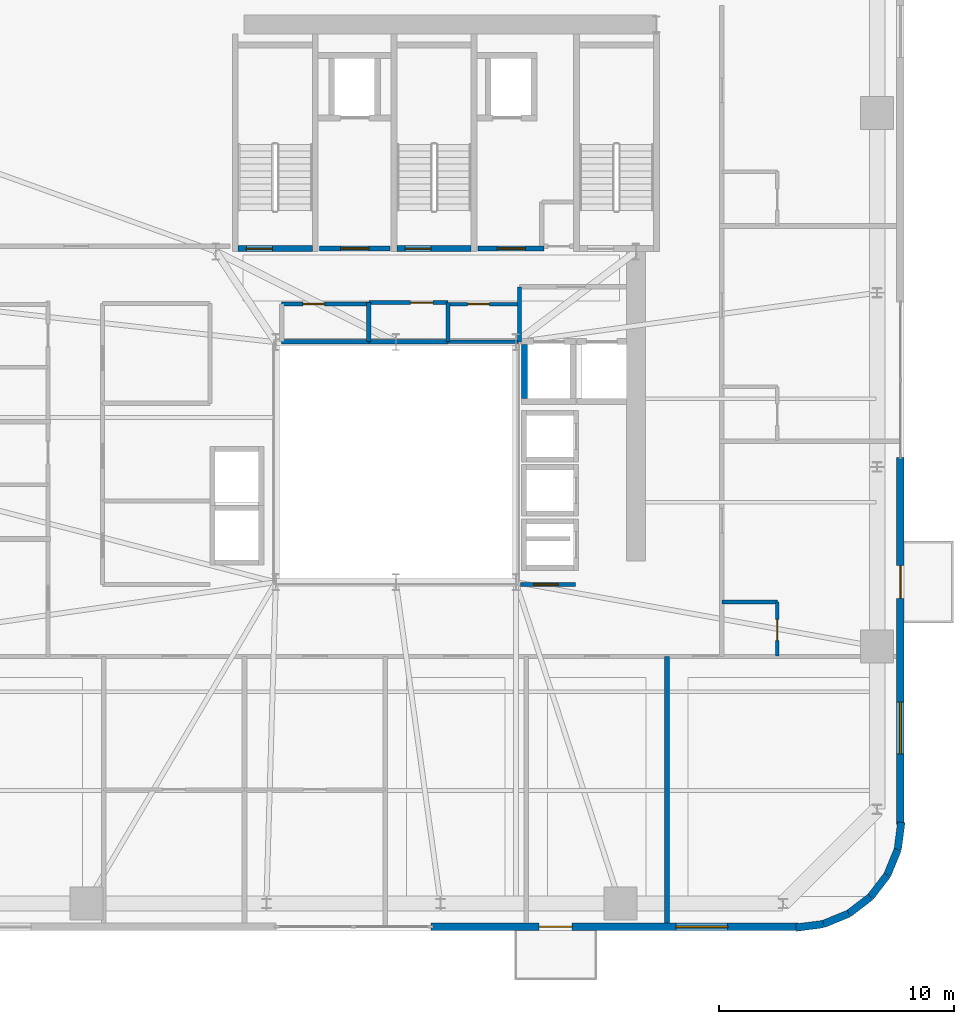
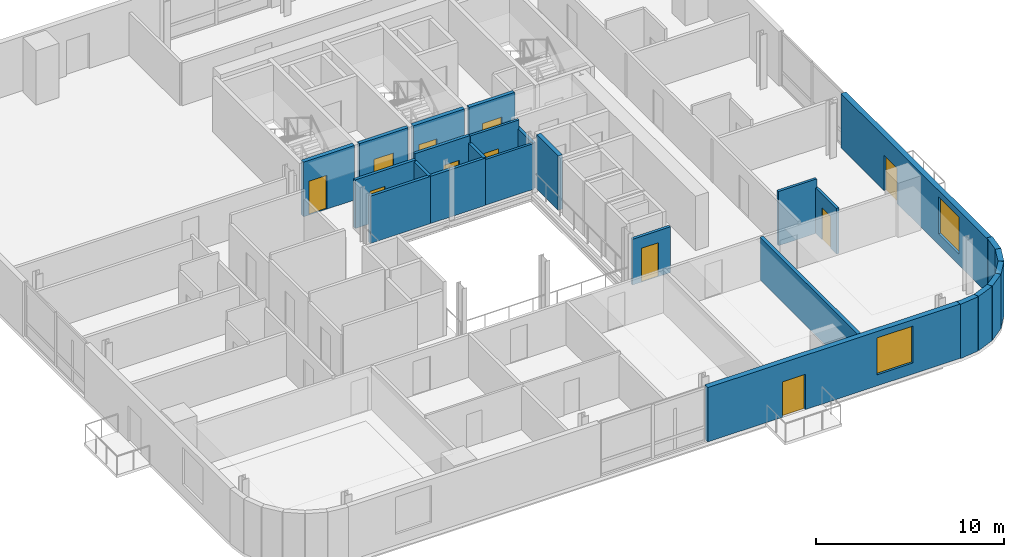
# One storey, part 9 of 15: 26 walls, 11 doors, 2 windows, 13 openings.
"""IFC4 building model written with IfcOpenShell, lengths in metres."""

from ifc_helpers import new_model, si_unit, direction, frame, frame_2d, origin, place, context, subcontext, project, spatial, rectangle, extrude, source, transform, mapped, material, layer, layer_set, type_object, element, fill, save


model = new_model("IFC4")

# Units and contexts
model_context = context("Model", 3, precision=1e-05, world=origin(), true_north=direction((0.0, 1.0)))
body_context = subcontext(model_context, "Body", "Model", "MODEL_VIEW")
ifc_project = project(units=[si_unit("LENGTHUNIT", "METRE"), si_unit("AREAUNIT", "SQUARE_METRE"), si_unit("VOLUMEUNIT", "CUBIC_METRE"), si_unit("PLANEANGLEUNIT", "RADIAN"), si_unit("MASSUNIT", "GRAM", prefix="KILO")], contexts=[model_context])

# Site, building, storey
site_placement = place(None, origin())
site = spatial("IfcSite", under=ifc_project, at=site_placement, CompositionType="ELEMENT")
building_placement = place(site_placement, origin())
building = spatial("IfcBuilding", under=site, at=building_placement, Name="Vardaveli Station Tower", CompositionType="ELEMENT")
storey_placement = place(building_placement, frame((0.0, 0.0, 207.300048828125)))
storey = spatial("IfcBuildingStorey", under=building, at=storey_placement, Name="L53", CompositionType="ELEMENT", Elevation=207.300048828125)

# Wall, openings, door, window
ifc_material_1 = material(Name="Precast concrete C45/55", Category="concrete")
ifc_layer_1 = layer(ifc_material_1, 0.320068359375, Name="Precast concrete C45/55")
ifc_layer_set_1 = layer_set([ifc_layer_1], Name="Precast concrete C45/55")
wall_type_1 = type_object("IfcWallType", Name="WAL-EXT-STONE-320", PredefinedType="SOLIDWALL", material=ifc_layer_set_1)
shared_shape_1 = source(origin(), body_context, "Body", "SweptSolid", [
    extrude(rectangle(XDim=15.599853515625, YDim=0.320068359375, at=frame_2d((7.7998046875, 0.0))), origin(), (0.0, 0.0, 1.0), 3.530029296875),
])
wall_1_placement = place(storey_placement, frame((37.800048828125, 1.9599609375, 0.0), z_axis=(0.0, 0.0, 1.0), x_axis=(1.0, 0.0, 0.0)))
wall_1 = element("IfcWall", 1, at=wall_1_placement, inside=storey, type_object=wall_type_1, Name="EW-L53-S2", PredefinedType="SOLIDWALL", context=body_context, shape_type="MappedRepresentation", body=[
    mapped(shared_shape_1, transform((0.0, 0.0, 0.0), scale=1.0)),
])
shared_shape_2 = source(origin(), body_context, "Body", "SweptSolid", [
    extrude(rectangle(XDim=1.39990234375, YDim=2.300048828125, at=frame_2d((0.699951171875, 1.14990234375))), frame((0.0, 0.169921875, 0.0), z_axis=(0.0, -1.0, 0.0), x_axis=(1.0, 0.0, 0.0)), (0.0, 0.0, 1.0), 0.340087890625),
])
opening_1_placement = place(wall_1_placement, frame((4.589599609375, 0.0, 0.0)))
opening_1 = element("IfcOpeningElement", 2, at=opening_1_placement, cuts=wall_1, Name="Opening D-09", PredefinedType="OPENING", context=body_context, shape_type="MappedRepresentation", body=[
    mapped(shared_shape_2, transform((0.0, 0.0, 0.0), scale=1.0)),
])
shared_shape_3 = source(origin(), body_context, "Body", "SweptSolid", [
    extrude(rectangle(XDim=2.199951171875, YDim=2.39990234375, at=frame_2d((1.10009765625, 1.199951171875))), frame((0.0, 0.169921875, 0.0), z_axis=(0.0, -1.0, 0.0), x_axis=(1.0, 0.0, 0.0)), (0.0, 0.0, 1.0), 0.340087890625),
])
opening_2_placement = place(wall_1_placement, frame((10.39501953125, 0.0, 0.719970703125)))
opening_2 = element("IfcOpeningElement", 3, at=opening_2_placement, cuts=wall_1, Name="Opening W-03", PredefinedType="OPENING", context=body_context, shape_type="MappedRepresentation", body=[
    mapped(shared_shape_3, transform((0.0, 0.0, 0.0), scale=1.0)),
])
ifc_material_2 = material(Name="Thermally broken aluminium glass", Category="aluminium")
door_type_1 = type_object("IfcDoorType", Name="DR-LOG-1400x2300", OperationType="DOUBLE_DOOR_SLIDING", PredefinedType="DOOR", material=ifc_material_2)
shared_shape_4 = source(origin(), body_context, "Body", "SweptSolid", [
    extrude(rectangle(XDim=1.39990234375, YDim=2.300048828125, at=frame_2d((0.699951171875, 1.14990234375))), frame((0.0, 0.02490234375, 0.0), z_axis=(0.0, -1.0, 0.0), x_axis=(1.0, 0.0, 0.0)), (0.0, 0.0, 1.0), 0.050048828125),
])
door_1_placement = place(opening_1_placement, frame((1.39990234375, 0.0, 0.0), z_axis=(0.0, 0.0, 1.0), x_axis=(-1.0, 0.0, 0.0)))
door_1 = element("IfcDoor", 4, at=door_1_placement, inside=storey, type_object=door_type_1, Name="DLG-L53-S", OperationType="DOUBLE_DOOR_SLIDING", OverallHeight=2.300048828125, OverallWidth=1.39990234375, PredefinedType="DOOR", context=body_context, shape_type="MappedRepresentation", body=[
    mapped(shared_shape_4, transform((0.0, 0.0, 0.0), scale=1.0)),
])
fill(opening_1, door_1)
ifc_material_3 = material(Name="Low-E solar-control glass", Category="glass")
window_type = type_object("IfcWindowType", Name="WIN-LOG-2200x2400", PartitioningType="SINGLE_PANEL", PredefinedType="WINDOW", material=ifc_material_3)
shared_shape_5 = source(origin(), body_context, "Body", "SweptSolid", [
    extrude(rectangle(XDim=2.199951171875, YDim=2.39990234375, at=frame_2d((1.10009765625, 1.199951171875))), frame((0.0, 0.030029296875, 0.0), z_axis=(0.0, -1.0, 0.0), x_axis=(1.0, 0.0, 0.0)), (0.0, 0.0, 1.0), 0.06005859375),
])
window_1_placement = place(opening_2_placement, origin())
window_1 = element("IfcWindow", 5, at=window_1_placement, inside=storey, type_object=window_type, Name="WN-L53-S2", OverallHeight=2.39990234375, OverallWidth=2.199951171875, PartitioningType="SINGLE_PANEL", PredefinedType="WINDOW", context=body_context, shape_type="MappedRepresentation", body=[
    mapped(shared_shape_5, transform((0.0, 0.0, 0.0), scale=1.0)),
])
fill(opening_2, window_1)

wall_2_placement = place(storey_placement, frame((57.739990234375, 6.300048828125, 0.0), z_axis=(0.0, 0.0, 1.0), x_axis=(0.0, 1.0, 0.0)))
wall_2 = element("IfcWall", 6, at=wall_2_placement, inside=storey, type_object=wall_type_1, Name="EW-L53-E1", PredefinedType="SOLIDWALL", context=body_context, shape_type="MappedRepresentation", body=[
    mapped(shared_shape_1, transform((0.0, 0.0, 0.0), scale=1.0)),
])
opening_3_placement = place(wall_2_placement, frame((9.6103515625, 0.0, 0.0)))
opening_3 = element("IfcOpeningElement", 7, at=opening_3_placement, cuts=wall_2, Name="Opening D-09", PredefinedType="OPENING", context=body_context, shape_type="MappedRepresentation", body=[
    mapped(shared_shape_2, transform((0.0, 0.0, 0.0), scale=1.0)),
])
opening_4_placement = place(wall_2_placement, frame((3.0048828125, 0.0, 0.719970703125)))
opening_4 = element("IfcOpeningElement", 8, at=opening_4_placement, cuts=wall_2, Name="Opening W-03", PredefinedType="OPENING", context=body_context, shape_type="MappedRepresentation", body=[
    mapped(shared_shape_3, transform((0.0, 0.0, 0.0), scale=1.0)),
])
door_2_placement = place(opening_3_placement, frame((1.39990234375, 0.0, 0.0), z_axis=(0.0, 0.0, 1.0), x_axis=(-1.0, 0.0, 0.0)))
door_2 = element("IfcDoor", 9, at=door_2_placement, inside=storey, type_object=door_type_1, Name="DLG-L53-E", OperationType="DOUBLE_DOOR_SLIDING", OverallHeight=2.300048828125, OverallWidth=1.39990234375, PredefinedType="DOOR", context=body_context, shape_type="MappedRepresentation", body=[
    mapped(shared_shape_4, transform((0.0, 0.0, 0.0), scale=1.0)),
])
fill(opening_3, door_2)
window_2_placement = place(opening_4_placement, origin())
window_2 = element("IfcWindow", 10, at=window_2_placement, inside=storey, type_object=window_type, Name="WN-L53-E1", OverallHeight=2.39990234375, OverallWidth=2.199951171875, PartitioningType="SINGLE_PANEL", PredefinedType="WINDOW", context=body_context, shape_type="MappedRepresentation", body=[
    mapped(shared_shape_5, transform((0.0, 0.0, 0.0), scale=1.0)),
])
fill(opening_4, window_2)

# Walls
shared_shape_6 = source(origin(), body_context, "Body", "SweptSolid", [
    extrude(rectangle(XDim=1.170654296875, YDim=0.320068359375, at=frame_2d((0.58544921875, 0.0))), origin(), (0.0, 0.0, 1.0), 3.530029296875),
])
wall_3_placement = place(storey_placement, frame((57.62548828125, 5.23974609375, 0.0), z_axis=(0.0, 0.0, 1.0), x_axis=(0.128269133229, 0.991739395941, 0.0)))
element("IfcWall", 11, at=wall_3_placement, inside=storey, type_object=wall_type_1, Name="EW-L53-CR2-6", PredefinedType="SOLIDWALL", context=body_context, shape_type="MappedRepresentation", body=[
    mapped(shared_shape_6, transform((0.0, 0.0, 0.0), scale=1.0)),
])
shared_shape_7 = source(origin(), body_context, "Body", "SweptSolid", [
    extrude(rectangle(XDim=1.1689453125, YDim=0.320068359375, at=frame_2d((0.58447265625, 0.0))), origin(), (0.0, 0.0, 1.0), 3.530029296875),
])
for number, where, z_axis, x_axis, name in (
    (12, (56.46875, 3.231201171875, 0.0), (0.0, 0.0, 1.0), (0.608387696831, 0.793639975269, 0.0), "EW-L53-CR2-4"),
    (13, (57.179931640625, 4.158935546875, 0.0), (0.0, 0.0, 1.0), (0.381127904695, 0.924522320046, 0.0), "EW-L53-CR2-5"),
):
    element("IfcWall", number, at=place(storey_placement, frame(where, z_axis=z_axis, x_axis=x_axis)), inside=storey, type_object=wall_type_1, Name=name, PredefinedType="SOLIDWALL", context=body_context, shape_type="MappedRepresentation", body=[
        mapped(shared_shape_7, transform((0.0, 0.0, 0.0), scale=1.0)),
    ])
shared_shape_8 = source(origin(), body_context, "Body", "SweptSolid", [
    extrude(rectangle(XDim=1.168701171875, YDim=0.320068359375, at=frame_2d((0.58447265625, 0.0))), origin(), (0.0, 0.0, 1.0), 3.530029296875),
])
wall_4_placement = place(storey_placement, frame((55.541259765625, 2.520263671875, 0.0), z_axis=(0.0, 0.0, 1.0), x_axis=(0.793663520347, 0.608356981114, 0.0)))
element("IfcWall", 14, at=wall_4_placement, inside=storey, type_object=wall_type_1, Name="EW-L53-CR2-3", PredefinedType="SOLIDWALL", context=body_context, shape_type="MappedRepresentation", body=[
    mapped(shared_shape_8, transform((0.0, 0.0, 0.0), scale=1.0)),
])
shared_shape_9 = source(origin(), body_context, "Body", "SweptSolid", [
    extrude(rectangle(XDim=1.16943359375, YDim=0.320068359375, at=frame_2d((0.584716796875, 0.0))), origin(), (0.0, 0.0, 1.0), 3.530029296875),
])
wall_5_placement = place(storey_placement, frame((54.460205078125, 2.074462890625, 0.0), z_axis=(0.0, 0.0, 1.0), x_axis=(0.924479075121, 0.381232789334, 0.0)))
element("IfcWall", 15, at=wall_5_placement, inside=storey, type_object=wall_type_1, Name="EW-L53-CR2-2", PredefinedType="SOLIDWALL", context=body_context, shape_type="MappedRepresentation", body=[
    mapped(shared_shape_9, transform((0.0, 0.0, 0.0), scale=1.0)),
])
shared_shape_10 = source(origin(), body_context, "Body", "SweptSolid", [
    extrude(rectangle(XDim=1.170166015625, YDim=0.320068359375, at=frame_2d((0.5849609375, 0.0))), origin(), (0.0, 0.0, 1.0), 3.530029296875),
])
wall_6_placement = place(storey_placement, frame((53.299560546875, 1.924560546875, 0.0), z_axis=(0.0, 0.0, 1.0), x_axis=(0.991762485493, 0.128090485085, 0.0)))
element("IfcWall", 16, at=wall_6_placement, inside=storey, type_object=wall_type_1, Name="EW-L53-CR2-1", PredefinedType="SOLIDWALL", context=body_context, shape_type="MappedRepresentation", body=[
    mapped(shared_shape_10, transform((0.0, 0.0, 0.0), scale=1.0)),
])

# Wall, opening, door
ifc_material_4 = material(Name="Concrete C40/50", Category="concrete")
ifc_layer_2 = layer(ifc_material_4, 0.25, Name="Concrete C40/50")
ifc_layer_set_2 = layer_set([ifc_layer_2], Name="Concrete C40/50")
wall_type_2 = type_object("IfcWallType", Name="WAL-SHAFT-250", PredefinedType="SOLIDWALL", material=ifc_layer_set_2)
shared_shape_11 = source(origin(), body_context, "Body", "SweptSolid", [
    extrude(rectangle(XDim=3.14990234375, YDim=0.25, at=frame_2d((1.574951171875, 0.0))), origin(), (0.0, 0.0, 1.0), 3.550048828125),
])
wall_7_placement = place(storey_placement, frame((29.60009765625, 30.77490234375, 0.0), z_axis=(0.0, 0.0, 1.0), x_axis=(1.0, 0.0, 0.0)))
wall_7 = element("IfcWall", 17, at=wall_7_placement, inside=storey, type_object=wall_type_2, Name="W-L53-ST-1S", PredefinedType="SOLIDWALL", context=body_context, shape_type="MappedRepresentation", body=[
    mapped(shared_shape_11, transform((0.0, 0.0, 0.0), scale=1.0)),
])
shared_shape_12 = source(origin(), body_context, "Body", "SweptSolid", [
    extrude(rectangle(XDim=1.10009765625, YDim=2.199951171875, at=frame_2d((0.550048828125, 1.10009765625))), frame((0.0, 0.135009765625, 0.0), z_axis=(0.0, -1.0, 0.0), x_axis=(1.0, 0.0, 0.0)), (0.0, 0.0, 1.0), 0.27001953125),
])
opening_5_placement = place(wall_7_placement, frame((0.35009765625, 0.0, 0.0)))
opening_5 = element("IfcOpeningElement", 18, at=opening_5_placement, cuts=wall_7, Name="Opening D-04", PredefinedType="OPENING", context=body_context, shape_type="MappedRepresentation", body=[
    mapped(shared_shape_12, transform((0.0, 0.0, 0.0), scale=1.0)),
])
ifc_material_5 = material(Name="Steel smokeproof fire doorset", Category="steel")
door_type_2 = type_object("IfcDoorType", Name="DR-ST-1100x2200", OperationType="NOTDEFINED", PredefinedType="DOOR", material=ifc_material_5)
shared_shape_13 = source(origin(), body_context, "Body", "SweptSolid", [
    extrude(rectangle(XDim=1.10009765625, YDim=2.199951171875, at=frame_2d((0.550048828125, 1.10009765625))), frame((0.0, 0.02490234375, 0.0), z_axis=(0.0, -1.0, 0.0), x_axis=(1.0, 0.0, 0.0)), (0.0, 0.0, 1.0), 0.050048828125),
])
door_3_placement = place(opening_5_placement, origin())
door_3 = element("IfcDoor", 19, at=door_3_placement, inside=storey, type_object=door_type_2, Name="DST-1-L53", OperationType="SINGLE_SWING_LEFT", OverallHeight=2.199951171875, OverallWidth=1.10009765625, PredefinedType="DOOR", context=body_context, shape_type="MappedRepresentation", body=[
    mapped(shared_shape_13, transform((0.0, 0.0, 0.0), scale=1.0)),
])
fill(opening_5, door_3)

wall_8_placement = place(storey_placement, frame((36.35009765625, 30.77490234375, 0.0), z_axis=(0.0, 0.0, 1.0), x_axis=(1.0, 0.0, 0.0)))
wall_8 = element("IfcWall", 20, at=wall_8_placement, inside=storey, type_object=wall_type_2, Name="W-L53-ST-2S", PredefinedType="SOLIDWALL", context=body_context, shape_type="MappedRepresentation", body=[
    mapped(shared_shape_11, transform((0.0, 0.0, 0.0), scale=1.0)),
])
opening_6_placement = place(wall_8_placement, frame((0.35009765625, 0.0, 0.0)))
opening_6 = element("IfcOpeningElement", 21, at=opening_6_placement, cuts=wall_8, Name="Opening D-04", PredefinedType="OPENING", context=body_context, shape_type="MappedRepresentation", body=[
    mapped(shared_shape_12, transform((0.0, 0.0, 0.0), scale=1.0)),
])
door_4_placement = place(opening_6_placement, origin())
door_4 = element("IfcDoor", 22, at=door_4_placement, inside=storey, type_object=door_type_2, Name="DST-2-L53", OperationType="SINGLE_SWING_LEFT", OverallHeight=2.199951171875, OverallWidth=1.10009765625, PredefinedType="DOOR", context=body_context, shape_type="MappedRepresentation", body=[
    mapped(shared_shape_13, transform((0.0, 0.0, 0.0), scale=1.0)),
])
fill(opening_6, door_4)

ifc_layer_3 = layer(ifc_material_4, 0.219970703125, Name="Concrete C40/50")
ifc_layer_set_3 = layer_set([ifc_layer_3], Name="Concrete C40/50")
wall_type_3 = type_object("IfcWallType", Name="WAL-FFLOBBY-220", PredefinedType="SOLIDWALL", material=ifc_layer_set_3)
shared_shape_14 = source(origin(), body_context, "Body", "SweptSolid", [
    extrude(rectangle(XDim=3.0, YDim=0.219970703125, at=frame_2d((1.5, 0.0))), origin(), (0.0, 0.0, 1.0), 3.530029296875),
])
wall_9_placement = place(storey_placement, frame((33.050048828125, 30.780029296875, 0.0), z_axis=(0.0, 0.0, 1.0), x_axis=(1.0, 0.0, 0.0)))
wall_9 = element("IfcWall", 23, at=wall_9_placement, inside=storey, type_object=wall_type_3, Name="W-L53-FFL1S", PredefinedType="SOLIDWALL", context=body_context, shape_type="MappedRepresentation", body=[
    mapped(shared_shape_14, transform((0.0, 0.0, 0.0), scale=1.0)),
])
shared_shape_15 = source(origin(), body_context, "Body", "SweptSolid", [
    extrude(rectangle(XDim=1.199951171875, YDim=2.199951171875, at=frame_2d((0.60009765625, 1.10009765625))), frame((0.0, 0.1201171875, 0.0), z_axis=(0.0, -1.0, 0.0), x_axis=(1.0, 0.0, 0.0)), (0.0, 0.0, 1.0), 0.239990234375),
])
opening_7_placement = place(wall_9_placement, frame((0.89990234375, 0.0, 0.0)))
opening_7 = element("IfcOpeningElement", 24, at=opening_7_placement, cuts=wall_9, Name="Opening D-03", PredefinedType="OPENING", context=body_context, shape_type="MappedRepresentation", body=[
    mapped(shared_shape_15, transform((0.0, 0.0, 0.0), scale=1.0)),
])
door_type_3 = type_object("IfcDoorType", Name="DR-FFL-1200x2200", OperationType="NOTDEFINED", PredefinedType="DOOR", material=ifc_material_5)
shared_shape_16 = source(origin(), body_context, "Body", "SweptSolid", [
    extrude(rectangle(XDim=1.199951171875, YDim=2.199951171875, at=frame_2d((0.60009765625, 1.10009765625))), frame((0.0, 0.02490234375, 0.0), z_axis=(0.0, -1.0, 0.0), x_axis=(1.0, 0.0, 0.0)), (0.0, 0.0, 1.0), 0.050048828125),
])
door_5_placement = place(opening_7_placement, origin())
door_5 = element("IfcDoor", 25, at=door_5_placement, inside=storey, type_object=door_type_3, Name="DFFL1-L53", OperationType="SINGLE_SWING_LEFT", OverallHeight=2.199951171875, OverallWidth=1.199951171875, PredefinedType="DOOR", context=body_context, shape_type="MappedRepresentation", body=[
    mapped(shared_shape_16, transform((0.0, 0.0, 0.0), scale=1.0)),
])
fill(opening_7, door_5)

shared_shape_17 = source(origin(), body_context, "Body", "SweptSolid", [
    extrude(rectangle(XDim=2.800048828125, YDim=0.219970703125, at=frame_2d((1.39990234375, 0.0))), origin(), (0.0, 0.0, 1.0), 3.530029296875),
])
wall_10_placement = place(storey_placement, frame((39.800048828125, 30.780029296875, 0.0), z_axis=(0.0, 0.0, 1.0), x_axis=(1.0, 0.0, 0.0)))
wall_10 = element("IfcWall", 26, at=wall_10_placement, inside=storey, type_object=wall_type_3, Name="W-L53-FFL2S", PredefinedType="SOLIDWALL", context=body_context, shape_type="MappedRepresentation", body=[
    mapped(shared_shape_17, transform((0.0, 0.0, 0.0), scale=1.0)),
])
opening_8_placement = place(wall_10_placement, frame((0.800048828125, 0.0, 0.0)))
opening_8 = element("IfcOpeningElement", 27, at=opening_8_placement, cuts=wall_10, Name="Opening D-03", PredefinedType="OPENING", context=body_context, shape_type="MappedRepresentation", body=[
    mapped(shared_shape_15, transform((0.0, 0.0, 0.0), scale=1.0)),
])
door_6_placement = place(opening_8_placement, origin())
door_6 = element("IfcDoor", 28, at=door_6_placement, inside=storey, type_object=door_type_3, Name="DFFL2-L53", OperationType="SINGLE_SWING_RIGHT", OverallHeight=2.199951171875, OverallWidth=1.199951171875, PredefinedType="DOOR", context=body_context, shape_type="MappedRepresentation", body=[
    mapped(shared_shape_16, transform((0.0, 0.0, 0.0), scale=1.0)),
])
fill(opening_8, door_6)

# Wall
shared_shape_18 = source(origin(), body_context, "Body", "SweptSolid", [
    extrude(rectangle(XDim=2.300048828125, YDim=0.25, at=frame_2d((1.14990234375, 0.0))), origin(), (0.0, 0.0, 1.0), 3.530029296875),
])
wall_11_placement = place(storey_placement, frame((41.77490234375, 24.39990234375, 0.0), z_axis=(0.0, 0.0, 1.0), x_axis=(0.0, 1.0, 0.0)))
element("IfcWall", 29, at=wall_11_placement, inside=storey, type_object=wall_type_2, Name="SHW-SRV-01-L53-W", PredefinedType="SOLIDWALL", context=body_context, shape_type="MappedRepresentation", body=[
    mapped(shared_shape_18, transform((0.0, 0.0, 0.0), scale=1.0)),
])

# Wall, opening, door
ifc_material_6 = material(Name="Fire-rated gypsum stud partition")
ifc_layer_4 = layer(ifc_material_6, 0.179931640625, Name="Fire-rated gypsum stud partition")
ifc_layer_set_4 = layer_set([ifc_layer_4], Name="Fire-rated gypsum stud partition")
wall_type_4 = type_object("IfcWallType", Name="WAL-CORR-180", PredefinedType="PARTITIONING", material=ifc_layer_set_4)
shared_shape_19 = source(origin(), body_context, "Body", "SweptSolid", [
    extrude(rectangle(XDim=3.699951171875, YDim=0.179931640625, at=frame_2d((1.85009765625, 0.0))), origin(), (0.0, 0.0, 1.0), 3.161865234375),
])
wall_12_placement = place(storey_placement, frame((31.449951171875, 28.419921875, 0.0), z_axis=(0.0, 0.0, 1.0), x_axis=(1.0, 0.0, 0.0)))
wall_12 = element("IfcWall", 30, at=wall_12_placement, inside=storey, type_object=wall_type_4, Name="W-L53-CS2A-N", PredefinedType="PARTITIONING", context=body_context, shape_type="MappedRepresentation", body=[
    mapped(shared_shape_19, transform((0.0, 0.0, 0.0), scale=1.0)),
])
shared_shape_20 = source(origin(), body_context, "Body", "SweptSolid", [
    extrude(rectangle(XDim=0.919921875, YDim=2.10009765625, at=frame_2d((0.4599609375, 1.050048828125))), frame((0.0, 0.10009765625, 0.0), z_axis=(0.0, -1.0, 0.0), x_axis=(1.0, 0.0, 0.0)), (0.0, 0.0, 1.0), 0.199951171875),
])
opening_9_placement = place(wall_12_placement, frame((0.89990234375, 0.0, 0.0)))
opening_9 = element("IfcOpeningElement", 31, at=opening_9_placement, cuts=wall_12, Name="Opening D-07", PredefinedType="OPENING", context=body_context, shape_type="MappedRepresentation", body=[
    mapped(shared_shape_20, transform((0.0, 0.0, 0.0), scale=1.0)),
])
ifc_material_7 = material(Name="Moisture-resistant hardwood door", Category="wood")
door_type_4 = type_object("IfcDoorType", Name="DR-WC-920x2100", OperationType="NOTDEFINED", PredefinedType="DOOR", material=ifc_material_7)
shared_shape_21 = source(origin(), body_context, "Body", "SweptSolid", [
    extrude(rectangle(XDim=0.919921875, YDim=2.10009765625, at=frame_2d((0.4599609375, 1.050048828125))), frame((0.0, 0.02490234375, 0.0), z_axis=(0.0, -1.0, 0.0), x_axis=(1.0, 0.0, 0.0)), (0.0, 0.0, 1.0), 0.050048828125),
])
door_7_placement = place(opening_9_placement, origin())
door_7 = element("IfcDoor", 32, at=door_7_placement, inside=storey, type_object=door_type_4, Name="D-L53-CS2A", OperationType="SINGLE_SWING_RIGHT", OverallHeight=2.10009765625, OverallWidth=0.919921875, PredefinedType="DOOR", context=body_context, shape_type="MappedRepresentation", body=[
    mapped(shared_shape_21, transform((0.0, 0.0, 0.0), scale=1.0)),
])
fill(opening_9, door_7)

shared_shape_22 = source(origin(), body_context, "Body", "SweptSolid", [
    extrude(rectangle(XDim=3.3701171875, YDim=0.179931640625, at=frame_2d((1.68505859375, 0.0))), origin(), (0.0, 0.0, 1.0), 3.530029296875),
])
wall_13_placement = place(storey_placement, frame((35.14990234375, 28.47998046875, 0.0), z_axis=(0.0, 0.0, 1.0), x_axis=(1.0, 0.0, 0.0)))
wall_13 = element("IfcWall", 33, at=wall_13_placement, inside=storey, type_object=wall_type_4, Name="W-L53-HKP2-N", PredefinedType="PARTITIONING", context=body_context, shape_type="MappedRepresentation", body=[
    mapped(shared_shape_22, transform((0.0, 0.0, 0.0), scale=1.0)),
])
shared_shape_23 = source(origin(), body_context, "Body", "SweptSolid", [
    extrude(rectangle(XDim=0.949951171875, YDim=2.14990234375, at=frame_2d((0.47509765625, 1.074951171875))), frame((0.0, 0.10009765625, 0.0), z_axis=(0.0, -1.0, 0.0), x_axis=(1.0, 0.0, 0.0)), (0.0, 0.0, 1.0), 0.199951171875),
])
opening_10_placement = place(wall_13_placement, frame((1.77490234375, 0.0, 0.0)))
opening_10 = element("IfcOpeningElement", 34, at=opening_10_placement, cuts=wall_13, Name="Opening D-06", PredefinedType="OPENING", context=body_context, shape_type="MappedRepresentation", body=[
    mapped(shared_shape_23, transform((0.0, 0.0, 0.0), scale=1.0)),
])
ifc_material_8 = material(Name="Oak veneer acoustic fire door")
door_type_5 = type_object("IfcDoorType", Name="DR-GUEST-950x2150", OperationType="NOTDEFINED", PredefinedType="DOOR", material=ifc_material_8)
shared_shape_24 = source(origin(), body_context, "Body", "SweptSolid", [
    extrude(rectangle(XDim=0.949951171875, YDim=2.14990234375, at=frame_2d((0.47509765625, 1.074951171875))), frame((0.0, 0.02490234375, 0.0), z_axis=(0.0, -1.0, 0.0), x_axis=(1.0, 0.0, 0.0)), (0.0, 0.0, 1.0), 0.050048828125),
])
door_8_placement = place(opening_10_placement, origin())
door_8 = element("IfcDoor", 35, at=door_8_placement, inside=storey, type_object=door_type_5, Name="D-L53-HKP", OperationType="SINGLE_SWING_LEFT", OverallHeight=2.14990234375, OverallWidth=0.949951171875, PredefinedType="DOOR", context=body_context, shape_type="MappedRepresentation", body=[
    mapped(shared_shape_24, transform((0.0, 0.0, 0.0), scale=1.0)),
])
fill(opening_10, door_8)

ifc_material_9 = material(Name="Moisture-resistant stud partition")
ifc_layer_5 = layer(ifc_material_9, 0.14990234375, Name="Moisture-resistant stud partition")
ifc_layer_set_5 = layer_set([ifc_layer_5], Name="Moisture-resistant stud partition")
wall_type_5 = type_object("IfcWallType", Name="WAL-WET-150", PredefinedType="PARTITIONING", material=ifc_layer_set_5)
shared_shape_25 = source(origin(), body_context, "Body", "SweptSolid", [
    extrude(rectangle(XDim=3.0, YDim=0.14990234375, at=frame_2d((1.5, 0.0))), origin(), (0.0, 0.0, 1.0), 3.530029296875),
])
wall_14_placement = place(storey_placement, frame((38.52001953125, 28.419921875, 0.0), z_axis=(0.0, 0.0, 1.0), x_axis=(1.0, 0.0, 0.0)))
wall_14 = element("IfcWall", 36, at=wall_14_placement, inside=storey, type_object=wall_type_5, Name="W-L53-WCA2-N", PredefinedType="PARTITIONING", context=body_context, shape_type="MappedRepresentation", body=[
    mapped(shared_shape_25, transform((0.0, 0.0, 0.0), scale=1.0)),
])
shared_shape_26 = source(origin(), body_context, "Body", "SweptSolid", [
    extrude(rectangle(XDim=0.919921875, YDim=2.10009765625, at=frame_2d((0.4599609375, 1.050048828125))), frame((0.0, 0.0849609375, 0.0), z_axis=(0.0, -1.0, 0.0), x_axis=(1.0, 0.0, 0.0)), (0.0, 0.0, 1.0), 0.169921875),
])
opening_11_placement = place(wall_14_placement, frame((0.830078125, 0.0, 0.0)))
opening_11 = element("IfcOpeningElement", 37, at=opening_11_placement, cuts=wall_14, Name="Opening D-07", PredefinedType="OPENING", context=body_context, shape_type="MappedRepresentation", body=[
    mapped(shared_shape_26, transform((0.0, 0.0, 0.0), scale=1.0)),
])
door_9_placement = place(opening_11_placement, origin())
door_9 = element("IfcDoor", 38, at=door_9_placement, inside=storey, type_object=door_type_4, Name="D-L53-WCA", OperationType="SINGLE_SWING_RIGHT", OverallHeight=2.10009765625, OverallWidth=0.919921875, PredefinedType="DOOR", context=body_context, shape_type="MappedRepresentation", body=[
    mapped(shared_shape_21, transform((0.0, 0.0, 0.0), scale=1.0)),
])
fill(opening_11, door_9)

shared_shape_27 = source(origin(), body_context, "Body", "SweptSolid", [
    extrude(rectangle(XDim=2.329833984375, YDim=0.179931640625, at=frame_2d((1.1650390625, 0.0))), origin(), (0.0, 0.0, 1.0), 2.971923828125),
])
wall_15_placement = place(storey_placement, frame((41.60009765625, 16.5, 0.0), z_axis=(0.0, 0.0, 1.0), x_axis=(1.0, 0.0, 0.0)))
wall_15 = element("IfcWall", 39, at=wall_15_placement, inside=storey, type_object=wall_type_4, Name="W-L53-ATE-S", PredefinedType="PARTITIONING", context=body_context, shape_type="MappedRepresentation", body=[
    mapped(shared_shape_27, transform((0.0, 0.0, 0.0), scale=1.0)),
])
shared_shape_28 = source(origin(), body_context, "Body", "SweptSolid", [
    extrude(rectangle(XDim=1.050048828125, YDim=2.199951171875, at=frame_2d((0.52490234375, 1.10009765625))), frame((0.0, 0.10009765625, 0.0), z_axis=(0.0, -1.0, 0.0), x_axis=(1.0, 0.0, 0.0)), (0.0, 0.0, 1.0), 0.199951171875),
])
opening_12_placement = place(wall_15_placement, frame((0.550048828125, 0.0, 0.0)))
opening_12 = element("IfcOpeningElement", 40, at=opening_12_placement, cuts=wall_15, Name="Opening D-05", PredefinedType="OPENING", context=body_context, shape_type="MappedRepresentation", body=[
    mapped(shared_shape_28, transform((0.0, 0.0, 0.0), scale=1.0)),
])
ifc_material_10 = material(Name="Walnut veneer acoustic fire door")
door_type_6 = type_object("IfcDoorType", Name="DR-SUITE-1050x2200", OperationType="NOTDEFINED", PredefinedType="DOOR", material=ifc_material_10)
shared_shape_29 = source(origin(), body_context, "Body", "SweptSolid", [
    extrude(rectangle(XDim=1.050048828125, YDim=2.199951171875, at=frame_2d((0.52490234375, 1.10009765625))), frame((0.0, 0.02490234375, 0.0), z_axis=(0.0, -1.0, 0.0), x_axis=(1.0, 0.0, 0.0)), (0.0, 0.0, 1.0), 0.050048828125),
])
door_10_placement = place(opening_12_placement, origin())
door_10 = element("IfcDoor", 41, at=door_10_placement, inside=storey, type_object=door_type_6, Name="D-L53-ATE1", OperationType="SINGLE_SWING_RIGHT", OverallHeight=2.199951171875, OverallWidth=1.050048828125, PredefinedType="DOOR", context=body_context, shape_type="MappedRepresentation", body=[
    mapped(shared_shape_29, transform((0.0, 0.0, 0.0), scale=1.0)),
])
fill(opening_12, door_10)

shared_shape_30 = source(origin(), body_context, "Body", "SweptSolid", [
    extrude(rectangle(XDim=2.2900390625, YDim=0.14990234375, at=frame_2d((1.14501953125, 0.0))), origin(), (0.0, 0.0, 1.0), 2.971923828125),
])
wall_16_placement = place(storey_placement, frame((52.510009765625, 13.469970703125, 0.0), z_axis=(0.0, 0.0, 1.0), x_axis=(0.0, 1.0, 0.0)))
wall_16 = element("IfcWall", 42, at=wall_16_placement, inside=storey, type_object=wall_type_5, Name="W-L53-BE1-E", PredefinedType="PARTITIONING", context=body_context, shape_type="MappedRepresentation", body=[
    mapped(shared_shape_30, transform((0.0, 0.0, 0.0), scale=1.0)),
])
shared_shape_31 = source(origin(), body_context, "Body", "SweptSolid", [
    extrude(rectangle(XDim=0.89990234375, YDim=2.10009765625, at=frame_2d((0.449951171875, 1.050048828125))), frame((0.0, 0.0849609375, 0.0), z_axis=(0.0, -1.0, 0.0), x_axis=(1.0, 0.0, 0.0)), (0.0, 0.0, 1.0), 0.169921875),
])
opening_13_placement = place(wall_16_placement, frame((0.64990234375, 0.0, 0.0)))
opening_13 = element("IfcOpeningElement", 43, at=opening_13_placement, cuts=wall_16, Name="Opening D-08", PredefinedType="OPENING", context=body_context, shape_type="MappedRepresentation", body=[
    mapped(shared_shape_31, transform((0.0, 0.0, 0.0), scale=1.0)),
])
ifc_material_11 = material(Name="Moisture-resistant oak door")
door_type_7 = type_object("IfcDoorType", Name="DR-BATH-900x2100", OperationType="NOTDEFINED", PredefinedType="DOOR", material=ifc_material_11)
shared_shape_32 = source(origin(), body_context, "Body", "SweptSolid", [
    extrude(rectangle(XDim=0.89990234375, YDim=2.10009765625, at=frame_2d((0.449951171875, 1.050048828125))), frame((0.0, 0.02490234375, 0.0), z_axis=(0.0, -1.0, 0.0), x_axis=(1.0, 0.0, 0.0)), (0.0, 0.0, 1.0), 0.050048828125),
])
door_11_placement = place(opening_13_placement, origin())
door_11 = element("IfcDoor", 44, at=door_11_placement, inside=storey, type_object=door_type_7, Name="D-L53-BE1", OperationType="SINGLE_SWING_RIGHT", OverallHeight=2.10009765625, OverallWidth=0.89990234375, PredefinedType="DOOR", context=body_context, shape_type="MappedRepresentation", body=[
    mapped(shared_shape_32, transform((0.0, 0.0, 0.0), scale=1.0)),
])
fill(opening_13, door_11)

# Walls
shared_shape_33 = source(origin(), body_context, "Body", "SweptSolid", [
    extrude(rectangle(XDim=3.699951171875, YDim=0.179931640625, at=frame_2d((1.85009765625, 0.0))), origin(), (0.0, 0.0, 1.0), 3.072021484375),
])
wall_17_placement = place(storey_placement, frame((31.449951171875, 26.820068359375, 0.0), z_axis=(0.0, 0.0, 1.0), x_axis=(1.0, 0.0, 0.0)))
element("IfcWall", 45, at=wall_17_placement, inside=storey, type_object=wall_type_4, Name="W-L53-CS2A-S", PredefinedType="PARTITIONING", context=body_context, shape_type="MappedRepresentation", body=[
    mapped(shared_shape_33, transform((0.0, 0.0, 0.0), scale=1.0)),
])
shared_shape_34 = source(origin(), body_context, "Body", "SweptSolid", [
    extrude(rectangle(XDim=3.3701171875, YDim=0.179931640625, at=frame_2d((1.68505859375, 0.0))), origin(), (0.0, 0.0, 1.0), 3.072021484375),
])
wall_18_placement = place(storey_placement, frame((35.14990234375, 26.820068359375, 0.0), z_axis=(0.0, 0.0, 1.0), x_axis=(1.0, 0.0, 0.0)))
element("IfcWall", 46, at=wall_18_placement, inside=storey, type_object=wall_type_4, Name="W-L53-HKP2-S", PredefinedType="PARTITIONING", context=body_context, shape_type="MappedRepresentation", body=[
    mapped(shared_shape_34, transform((0.0, 0.0, 0.0), scale=1.0)),
])
shared_shape_35 = source(origin(), body_context, "Body", "SweptSolid", [
    extrude(rectangle(XDim=3.0, YDim=0.14990234375, at=frame_2d((1.5, 0.0))), origin(), (0.0, 0.0, 1.0), 2.971923828125),
])
wall_19_placement = place(storey_placement, frame((38.52001953125, 26.820068359375, 0.0), z_axis=(0.0, 0.0, 1.0), x_axis=(1.0, 0.0, 0.0)))
element("IfcWall", 47, at=wall_19_placement, inside=storey, type_object=wall_type_5, Name="W-L53-WCA2-S", PredefinedType="PARTITIONING", context=body_context, shape_type="MappedRepresentation", body=[
    mapped(shared_shape_35, transform((0.0, 0.0, 0.0), scale=1.0)),
])
shared_shape_36 = source(origin(), body_context, "Body", "SweptSolid", [
    extrude(rectangle(XDim=2.360107421875, YDim=0.14990234375, at=frame_2d((1.18017578125, 0.0))), origin(), (0.0, 0.0, 1.0), 3.530029296875),
])
wall_20_placement = place(storey_placement, frame((50.14990234375, 15.760009765625, 0.0), z_axis=(0.0, 0.0, 1.0), x_axis=(1.0, 0.0, 0.0)))
element("IfcWall", 48, at=wall_20_placement, inside=storey, type_object=wall_type_5, Name="W-L53-BE1-N", PredefinedType="PARTITIONING", context=body_context, shape_type="MappedRepresentation", body=[
    mapped(shared_shape_36, transform((0.0, 0.0, 0.0), scale=1.0)),
])
shared_shape_37 = source(origin(), body_context, "Body", "SweptSolid", [
    extrude(rectangle(XDim=2.349853515625, YDim=0.179931640625, at=frame_2d((1.1748046875, 0.0))), origin(), (0.0, 0.0, 1.0), 2.971923828125),
])
wall_21_placement = place(storey_placement, frame((41.550048828125, 26.800048828125, 0.0), z_axis=(0.0, 0.0, 1.0), x_axis=(0.0, 1.0, 0.0)))
element("IfcWall", 49, at=wall_21_placement, inside=storey, type_object=wall_type_4, Name="W-L53-SVFW", PredefinedType="PARTITIONING", context=body_context, shape_type="MappedRepresentation", body=[
    mapped(shared_shape_37, transform((0.0, 0.0, 0.0), scale=1.0)),
])
shared_shape_38 = source(origin(), body_context, "Body", "SweptSolid", [
    extrude(rectangle(XDim=1.659912109375, YDim=0.179931640625, at=frame_2d((0.830078125, 0.0))), origin(), (0.0, 0.0, 1.0), 3.072021484375),
])
for number, where, z_axis, x_axis, name in (
    (50, (35.14990234375, 26.820068359375, 0.0), (0.0, 0.0, 1.0), (0.0, 1.0, 0.0), "W-L53-HKP2-W"),
    (51, (38.52001953125, 26.820068359375, 0.0), (0.0, 0.0, 1.0), (0.0, 1.0, 0.0), "W-L53-HKP2-E"),
):
    element("IfcWall", number, at=place(storey_placement, frame(where, z_axis=z_axis, x_axis=x_axis)), inside=storey, type_object=wall_type_4, Name=name, PredefinedType="PARTITIONING", context=body_context, shape_type="MappedRepresentation", body=[
        mapped(shared_shape_38, transform((0.0, 0.0, 0.0), scale=1.0)),
    ])
ifc_material_12 = material(Name="Acoustic twin-stud gypsum partition")
ifc_layer_6 = layer(ifc_material_12, 0.199951171875, Name="Acoustic twin-stud gypsum partition")
ifc_layer_set_6 = layer_set([ifc_layer_6], Name="Acoustic twin-stud gypsum partition")
wall_type_6 = type_object("IfcWallType", Name="WAL-PARTY-200", PredefinedType="PARTITIONING", material=ifc_layer_set_6)
shared_shape_39 = source(origin(), body_context, "Body", "SweptSolid", [
    extrude(rectangle(XDim=11.327880859375, YDim=0.199951171875, at=frame_2d((5.6640625, 0.0))), origin(), (0.0, 0.0, 1.0), 2.77197265625),
])
wall_22_placement = place(storey_placement, frame((47.820068359375, 2.1220703125, 0.0), z_axis=(0.0, 0.0, 1.0), x_axis=(0.0, 1.0, 0.0)))
element("IfcWall", 52, at=wall_22_placement, inside=storey, type_object=wall_type_6, Name="W-L53-PS5", PredefinedType="PARTITIONING", context=body_context, shape_type="MappedRepresentation", body=[
    mapped(shared_shape_39, transform((0.0, 0.0, 0.0), scale=1.0)),
])

save(model, "model.ifc")
